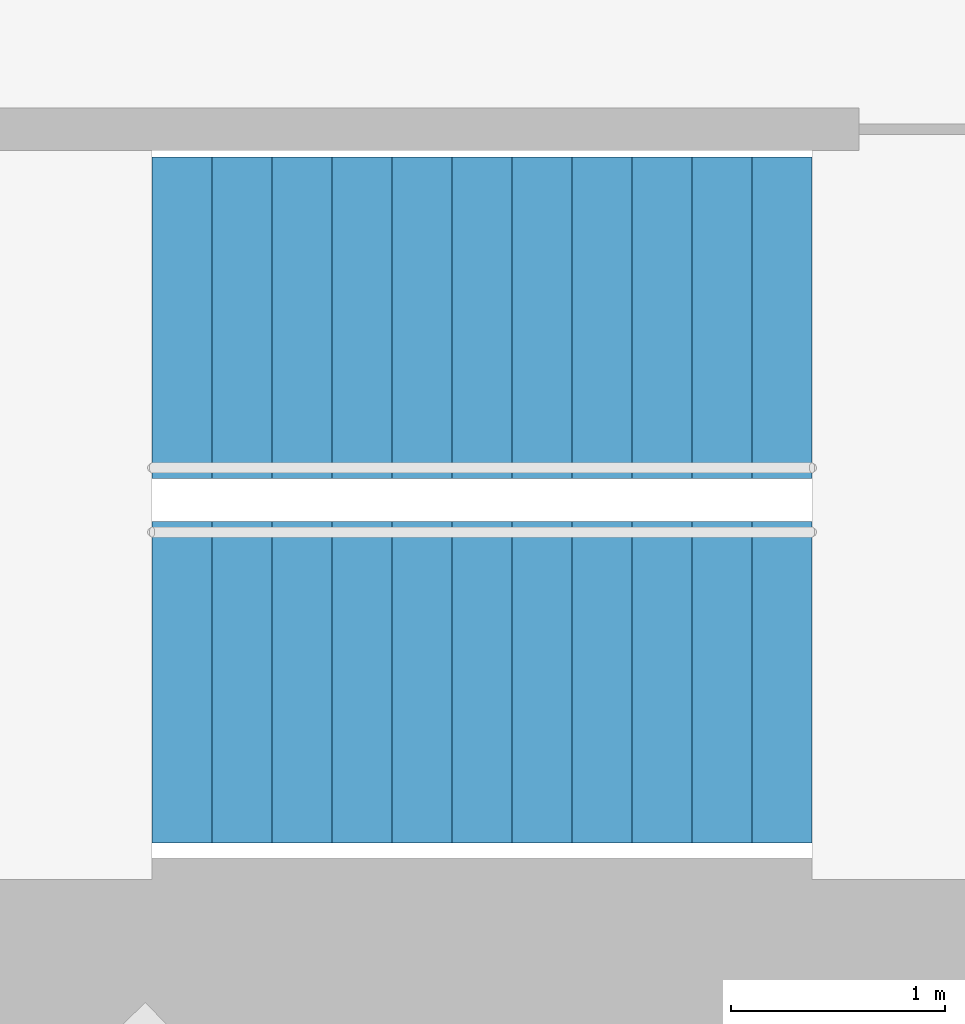
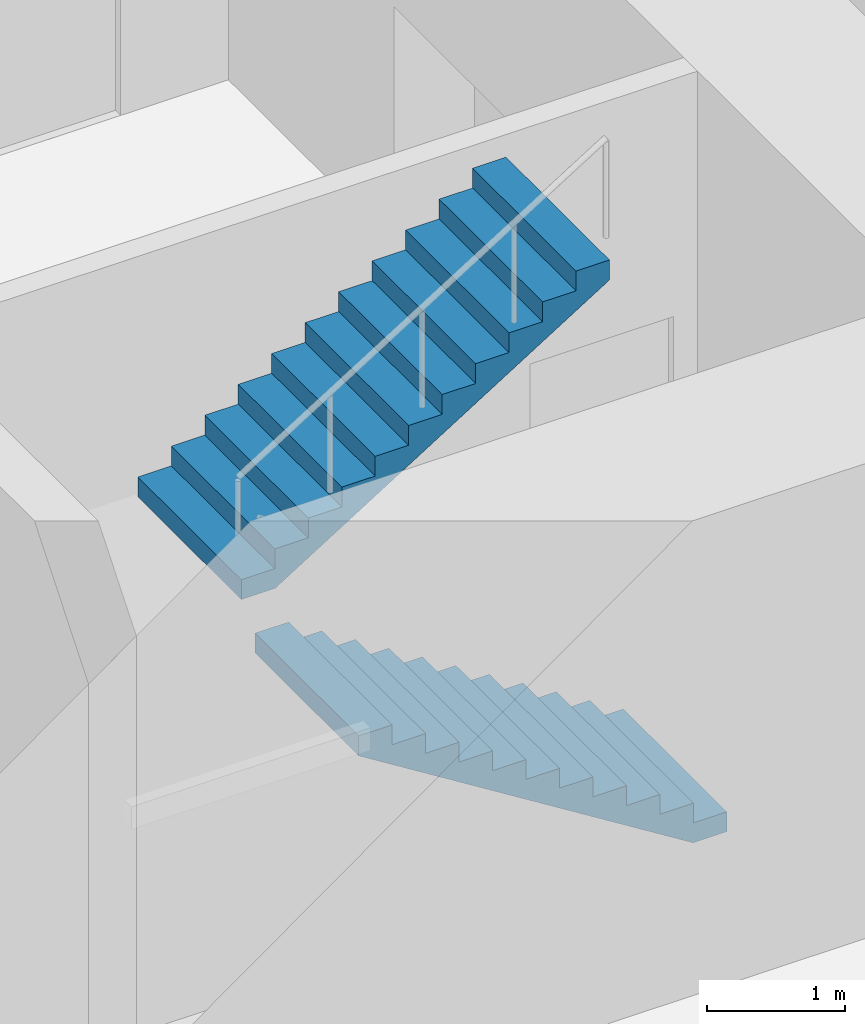
# One storey, part 17 of 18: 2 stair flights, 1 element without a shape of its own.
"""IFC4 building model written with IfcOpenShell, lengths in metres."""

from ifc_helpers import new_model, si_unit, direction, frame, origin, place, context, subcontext, project, spatial, triangles, material, type_object, element, aggregate, save


model = new_model("IFC4")

# Units and contexts
model_context = context("Model", 3, precision=1e-05, world=origin(), true_north=direction((0.0, 1.0)))
body_context = subcontext(model_context, "Body", "Model", "MODEL_VIEW")
ifc_project = project(units=[si_unit("LENGTHUNIT", "METRE"), si_unit("AREAUNIT", "SQUARE_METRE"), si_unit("VOLUMEUNIT", "CUBIC_METRE"), si_unit("PLANEANGLEUNIT", "RADIAN"), si_unit("MASSUNIT", "GRAM", prefix="KILO")], contexts=[model_context])

# Site, building, storey
site_placement = place(None, origin())
site = spatial("IfcSite", under=ifc_project, at=site_placement, CompositionType="ELEMENT")
building_placement = place(site_placement, origin())
building = spatial("IfcBuilding", under=site, at=building_placement, Name="Lantaw Convention Tower", CompositionType="ELEMENT")
storey_placement = place(building_placement, frame((0.0, 0.0, 142.60009765625)))
storey = spatial("IfcBuildingStorey", under=building, at=storey_placement, Name="L33", CompositionType="ELEMENT", Elevation=142.60009765625)

# Stair, stair flights
ifc_material = material(Name="Concrete C35/45", Category="concrete")
stair_type = type_object("IfcStairType", Name="Exit stair 1500 riser 175 in 2 flights", PredefinedType="HALF_TURN_STAIR", material=ifc_material)
stair_placement = place(storey_placement, origin())
stair = element("IfcStair", 1, at=stair_placement, inside=storey, type_object=stair_type, Name="Exit stair S2 L33", PredefinedType="HALF_TURN_STAIR")
stair_flight_type = type_object("IfcStairFlightType", Name="Stair flight 1500 riser 175", PredefinedType="STRAIGHT", material=ifc_material)
stair_flight_1_placement = place(storey_placement, frame((10.580078125, -5.97998046875, 0.0), z_axis=(0.0, 0.0, 1.0), x_axis=(-1.0, 0.0, 0.0)))
stair_flight_1 = element("IfcStairFlight", 2, at=stair_flight_1_placement, type_object=stair_flight_type, Name="S2 flight 1", NumberOfRisers=12, NumberOfTreads=11, PredefinedType="STRAIGHT", RiserHeight=0.175, TreadLength=0.28, context=body_context, shape_type="Tessellation", body=[
    triangles([(0.0, 0.75, 0.0), (0.0, 0.75, 0.175), (0.28, 0.75, 0.0), (0.28, 0.75, 0.175), (0.28, 0.75, 0.35), (0.28283517651771284, 0.75, 0.0), (0.28283517651771284, 0.75, 0.35), (0.56, 0.75, 0.17322801467642948), (0.56, 0.75, 0.35), (0.56, 0.75, 0.5249999999999999), (0.8400000000000001, 0.75, 0.34822801467642944), (0.8400000000000001, 0.75, 0.5249999999999999), (0.8400000000000001, 0.75, 0.7), (1.12, 0.75, 0.5232280146764294), (1.12, 0.75, 0.7), (1.12, 0.75, 0.875), (1.4000000000000001, 0.75, 0.6982280146764295), (1.4000000000000001, 0.75, 0.875), (1.4000000000000001, 0.75, 1.0499999999999998), (1.6800000000000002, 0.75, 0.8732280146764294), (1.6800000000000002, 0.75, 1.0499999999999998), (1.6800000000000002, 0.75, 1.2249999999999999), (1.9600000000000002, 0.75, 1.0482280146764293), (1.9600000000000002, 0.75, 1.2249999999999999), (1.9600000000000002, 0.75, 1.4), (2.24, 0.75, 1.2232280146764294), (2.24, 0.75, 1.4), (2.24, 0.75, 1.575), (2.5200000000000005, 0.75, 1.3982280146764294), (2.5200000000000005, 0.75, 1.575), (2.5200000000000005, 0.75, 1.75), (2.8000000000000003, 0.75, 1.5732280146764293), (2.8000000000000003, 0.75, 1.75), (2.8000000000000003, 0.75, 1.9249999999999998), (3.08, 0.75, 1.7482280146764293), (3.08, 0.75, 1.9249999999999998), (0.0, -0.75, 0.0), (0.0, -0.75, 0.175), (0.28, -0.75, 0.0), (0.28, -0.75, 0.175), (0.28, -0.75, 0.35), (0.28283517651771284, -0.75, 0.0), (0.28283517651771284, -0.75, 0.35), (0.56, -0.75, 0.17322801467642948), (0.56, -0.75, 0.35), (0.56, -0.75, 0.5249999999999999), (0.8400000000000001, -0.75, 0.34822801467642944), (0.8400000000000001, -0.75, 0.5249999999999999), (0.8400000000000001, -0.75, 0.7), (1.12, -0.75, 0.5232280146764294), (1.12, -0.75, 0.7), (1.12, -0.75, 0.875), (1.4000000000000001, -0.75, 0.6982280146764295), (1.4000000000000001, -0.75, 0.875), (1.4000000000000001, -0.75, 1.0499999999999998), (1.6800000000000002, -0.75, 0.8732280146764294), (1.6800000000000002, -0.75, 1.0499999999999998), (1.6800000000000002, -0.75, 1.2249999999999999), (1.9600000000000002, -0.75, 1.0482280146764293), (1.9600000000000002, -0.75, 1.2249999999999999), (1.9600000000000002, -0.75, 1.4), (2.24, -0.75, 1.2232280146764294), (2.24, -0.75, 1.4), (2.24, -0.75, 1.575), (2.5200000000000005, -0.75, 1.3982280146764294), (2.5200000000000005, -0.75, 1.575), (2.5200000000000005, -0.75, 1.75), (2.8000000000000003, -0.75, 1.5732280146764293), (2.8000000000000003, -0.75, 1.75), (2.8000000000000003, -0.75, 1.9249999999999998), (3.08, -0.75, 1.7482280146764293), (3.08, -0.75, 1.9249999999999998), (0.0, 0.15000000000000002, 0.175), (0.0, 0.15000000000000002, 0.0), (0.0, 0.0, 0.175), (0.0, 0.0, 0.0), (0.0, -0.15000000000000002, 0.175), (0.0, -0.15000000000000002, 0.0), (0.28, 0.15000000000000002, 0.35), (0.28, 0.15000000000000002, 0.175), (0.28, 0.0, 0.35), (0.28, 0.0, 0.175), (0.28, -0.15000000000000002, 0.35), (0.28, -0.15000000000000002, 0.175), (0.56, 0.15000000000000002, 0.5249999999999999), (0.56, 0.15000000000000002, 0.35), (0.56, 0.0, 0.5249999999999999), (0.56, 0.0, 0.35), (0.56, -0.15000000000000002, 0.5249999999999999), (0.56, -0.15000000000000002, 0.35), (0.8400000000000001, 0.15000000000000002, 0.7), (0.8400000000000001, 0.15000000000000002, 0.5249999999999999), (0.8400000000000001, 0.0, 0.7), (0.8400000000000001, 0.0, 0.5249999999999999), (0.8400000000000001, -0.15000000000000002, 0.7), (0.8400000000000001, -0.15000000000000002, 0.5249999999999999), (1.12, 0.15000000000000002, 0.875), (1.12, 0.15000000000000002, 0.7), (1.12, 0.0, 0.875), (1.12, 0.0, 0.7), (1.12, -0.15000000000000002, 0.875), (1.12, -0.15000000000000002, 0.7), (1.4000000000000001, 0.15000000000000002, 1.0499999999999998), (1.4000000000000001, 0.15000000000000002, 0.875), (1.4000000000000001, 0.0, 1.0499999999999998), (1.4000000000000001, 0.0, 0.875), (1.4000000000000001, -0.15000000000000002, 1.0499999999999998), (1.4000000000000001, -0.15000000000000002, 0.875), (1.6800000000000002, 0.15000000000000002, 1.2249999999999999), (1.6800000000000002, 0.15000000000000002, 1.0499999999999998), (1.6800000000000002, 0.0, 1.2249999999999999), (1.6800000000000002, 0.0, 1.0499999999999998), (1.6800000000000002, -0.15000000000000002, 1.2249999999999999), (1.6800000000000002, -0.15000000000000002, 1.0499999999999998), (1.9600000000000002, 0.15000000000000002, 1.4), (1.9600000000000002, 0.15000000000000002, 1.2249999999999999), (1.9600000000000002, 0.0, 1.4), (1.9600000000000002, 0.0, 1.2249999999999999), (1.9600000000000002, -0.15000000000000002, 1.4), (1.9600000000000002, -0.15000000000000002, 1.2249999999999999), (2.24, 0.15000000000000002, 1.575), (2.24, 0.15000000000000002, 1.4), (2.24, 0.0, 1.575), (2.24, 0.0, 1.4), (2.24, -0.15000000000000002, 1.575), (2.24, -0.15000000000000002, 1.4), (2.5200000000000005, 0.15000000000000002, 1.75), (2.5200000000000005, 0.15000000000000002, 1.575), (2.5200000000000005, 0.0, 1.75), (2.5200000000000005, 0.0, 1.575), (2.5200000000000005, -0.15000000000000002, 1.75), (2.5200000000000005, -0.15000000000000002, 1.575), (2.8000000000000003, 0.15000000000000002, 1.9249999999999998), (2.8000000000000003, 0.15000000000000002, 1.75), (2.8000000000000003, 0.0, 1.9249999999999998), (2.8000000000000003, 0.0, 1.75), (2.8000000000000003, -0.15000000000000002, 1.9249999999999998), (2.8000000000000003, -0.15000000000000002, 1.75), (0.28283517651771284, 0.15000000000000002, 0.35), (0.28283517651771284, 0.0, 0.35), (0.28283517651771284, -0.15000000000000002, 0.35), (3.08, 0.15000000000000002, 1.9249999999999998), (3.08, 0.0, 1.9249999999999998), (3.08, -0.15000000000000002, 1.9249999999999998), (3.08, 0.15000000000000002, 1.7482280146764293), (3.08, 0.0, 1.7482280146764293), (3.08, -0.15000000000000002, 1.7482280146764293), (2.8000000000000003, 0.15000000000000002, 1.5732280146764293), (2.8000000000000003, 0.0, 1.5732280146764293), (2.8000000000000003, -0.15000000000000002, 1.5732280146764293), (2.5200000000000005, 0.15000000000000002, 1.3982280146764294), (2.5200000000000005, 0.0, 1.3982280146764294), (2.5200000000000005, -0.15000000000000002, 1.3982280146764294), (2.24, 0.15000000000000002, 1.2232280146764294), (2.24, 0.0, 1.2232280146764294), (2.24, -0.15000000000000002, 1.2232280146764294), (1.9600000000000002, 0.15000000000000002, 1.0482280146764293), (1.9600000000000002, 0.0, 1.0482280146764293), (1.9600000000000002, -0.15000000000000002, 1.0482280146764293), (1.6800000000000002, 0.15000000000000002, 0.8732280146764294), (1.6800000000000002, 0.0, 0.8732280146764294), (1.6800000000000002, -0.15000000000000002, 0.8732280146764294), (1.4000000000000001, 0.15000000000000002, 0.6982280146764295), (1.4000000000000001, 0.0, 0.6982280146764295), (1.4000000000000001, -0.15000000000000002, 0.6982280146764295), (1.12, 0.15000000000000002, 0.5232280146764294), (1.12, 0.0, 0.5232280146764294), (1.12, -0.15000000000000002, 0.5232280146764294), (0.8400000000000001, 0.15000000000000002, 0.34822801467642944), (0.8400000000000001, 0.0, 0.34822801467642944), (0.8400000000000001, -0.15000000000000002, 0.34822801467642944), (0.56, 0.15000000000000002, 0.17322801467642948), (0.56, 0.0, 0.17322801467642948), (0.56, -0.15000000000000002, 0.17322801467642948), (0.28283517651771284, 0.15000000000000002, 0.0), (0.28283517651771284, 0.0, 0.0), (0.28283517651771284, -0.15000000000000002, 0.0), (0.28, 0.15000000000000002, 0.0), (0.28, 0.0, 0.0), (0.28, -0.15000000000000002, 0.0)], [[1, 4, 3], [1, 2, 4], [3, 4, 6], [4, 7, 6], [4, 5, 7], [6, 9, 8], [6, 7, 9], [8, 9, 11], [9, 12, 11], [9, 10, 12], [11, 12, 14], [12, 15, 14], [12, 13, 15], [14, 15, 17], [15, 18, 17], [15, 16, 18], [17, 18, 20], [18, 21, 20], [18, 19, 21], [20, 21, 23], [21, 24, 23], [21, 22, 24], [23, 24, 26], [24, 27, 26], [24, 25, 27], [26, 27, 29], [27, 30, 29], [27, 28, 30], [29, 30, 32], [30, 33, 32], [30, 31, 33], [32, 33, 35], [33, 36, 35], [33, 34, 36], [37, 39, 40], [37, 40, 38], [39, 42, 40], [40, 42, 43], [40, 43, 41], [42, 44, 45], [42, 45, 43], [44, 47, 45], [45, 47, 48], [45, 48, 46], [47, 50, 48], [48, 50, 51], [48, 51, 49], [50, 53, 51], [51, 53, 54], [51, 54, 52], [53, 56, 54], [54, 56, 57], [54, 57, 55], [56, 59, 57], [57, 59, 60], [57, 60, 58], [59, 62, 60], [60, 62, 63], [60, 63, 61], [62, 65, 63], [63, 65, 66], [63, 66, 64], [65, 68, 66], [66, 68, 69], [66, 69, 67], [68, 71, 69], [69, 71, 72], [69, 72, 70], [1, 73, 2], [1, 74, 73], [74, 75, 73], [74, 76, 75], [76, 77, 75], [76, 78, 77], [78, 38, 77], [78, 37, 38], [4, 79, 5], [4, 80, 79], [80, 81, 79], [80, 82, 81], [82, 83, 81], [82, 84, 83], [84, 41, 83], [84, 40, 41], [9, 85, 10], [9, 86, 85], [86, 87, 85], [86, 88, 87], [88, 89, 87], [88, 90, 89], [90, 46, 89], [90, 45, 46], [12, 91, 13], [12, 92, 91], [92, 93, 91], [92, 94, 93], [94, 95, 93], [94, 96, 95], [96, 49, 95], [96, 48, 49], [15, 97, 16], [15, 98, 97], [98, 99, 97], [98, 100, 99], [100, 101, 99], [100, 102, 101], [102, 52, 101], [102, 51, 52], [18, 103, 19], [18, 104, 103], [104, 105, 103], [104, 106, 105], [106, 107, 105], [106, 108, 107], [108, 55, 107], [108, 54, 55], [21, 109, 22], [21, 110, 109], [110, 111, 109], [110, 112, 111], [112, 113, 111], [112, 114, 113], [114, 58, 113], [114, 57, 58], [24, 115, 25], [24, 116, 115], [116, 117, 115], [116, 118, 117], [118, 119, 117], [118, 120, 119], [120, 61, 119], [120, 60, 61], [27, 121, 28], [27, 122, 121], [122, 123, 121], [122, 124, 123], [124, 125, 123], [124, 126, 125], [126, 64, 125], [126, 63, 64], [30, 127, 31], [30, 128, 127], [128, 129, 127], [128, 130, 129], [130, 131, 129], [130, 132, 131], [132, 67, 131], [132, 66, 67], [33, 133, 34], [33, 134, 133], [134, 135, 133], [134, 136, 135], [136, 137, 135], [136, 138, 137], [138, 70, 137], [138, 69, 70], [2, 80, 4], [2, 73, 80], [73, 82, 80], [73, 75, 82], [75, 84, 82], [75, 77, 84], [77, 40, 84], [77, 38, 40], [5, 139, 7], [5, 79, 139], [79, 140, 139], [79, 81, 140], [81, 141, 140], [81, 83, 141], [83, 43, 141], [83, 41, 43], [7, 86, 9], [7, 139, 86], [139, 88, 86], [139, 140, 88], [140, 90, 88], [140, 141, 90], [141, 45, 90], [141, 43, 45], [10, 92, 12], [10, 85, 92], [85, 94, 92], [85, 87, 94], [87, 96, 94], [87, 89, 96], [89, 48, 96], [89, 46, 48], [13, 98, 15], [13, 91, 98], [91, 100, 98], [91, 93, 100], [93, 102, 100], [93, 95, 102], [95, 51, 102], [95, 49, 51], [16, 104, 18], [16, 97, 104], [97, 106, 104], [97, 99, 106], [99, 108, 106], [99, 101, 108], [101, 54, 108], [101, 52, 54], [19, 110, 21], [19, 103, 110], [103, 112, 110], [103, 105, 112], [105, 114, 112], [105, 107, 114], [107, 57, 114], [107, 55, 57], [22, 116, 24], [22, 109, 116], [109, 118, 116], [109, 111, 118], [111, 120, 118], [111, 113, 120], [113, 60, 120], [113, 58, 60], [25, 122, 27], [25, 115, 122], [115, 124, 122], [115, 117, 124], [117, 126, 124], [117, 119, 126], [119, 63, 126], [119, 61, 63], [28, 128, 30], [28, 121, 128], [121, 130, 128], [121, 123, 130], [123, 132, 130], [123, 125, 132], [125, 66, 132], [125, 64, 66], [31, 134, 33], [31, 127, 134], [127, 136, 134], [127, 129, 136], [129, 138, 136], [129, 131, 138], [131, 69, 138], [131, 67, 69], [34, 142, 36], [34, 133, 142], [133, 143, 142], [133, 135, 143], [135, 144, 143], [135, 137, 144], [137, 72, 144], [137, 70, 72], [36, 145, 35], [36, 142, 145], [142, 146, 145], [142, 143, 146], [143, 147, 146], [143, 144, 147], [144, 71, 147], [144, 72, 71], [35, 148, 32], [35, 145, 148], [145, 149, 148], [145, 146, 149], [146, 150, 149], [146, 147, 150], [147, 68, 150], [147, 71, 68], [32, 151, 29], [32, 148, 151], [148, 152, 151], [148, 149, 152], [149, 153, 152], [149, 150, 153], [150, 65, 153], [150, 68, 65], [29, 154, 26], [29, 151, 154], [151, 155, 154], [151, 152, 155], [152, 156, 155], [152, 153, 156], [153, 62, 156], [153, 65, 62], [26, 157, 23], [26, 154, 157], [154, 158, 157], [154, 155, 158], [155, 159, 158], [155, 156, 159], [156, 59, 159], [156, 62, 59], [23, 160, 20], [23, 157, 160], [157, 161, 160], [157, 158, 161], [158, 162, 161], [158, 159, 162], [159, 56, 162], [159, 59, 56], [20, 163, 17], [20, 160, 163], [160, 164, 163], [160, 161, 164], [161, 165, 164], [161, 162, 165], [162, 53, 165], [162, 56, 53], [17, 166, 14], [17, 163, 166], [163, 167, 166], [163, 164, 167], [164, 168, 167], [164, 165, 168], [165, 50, 168], [165, 53, 50], [14, 169, 11], [14, 166, 169], [166, 170, 169], [166, 167, 170], [167, 171, 170], [167, 168, 171], [168, 47, 171], [168, 50, 47], [11, 172, 8], [11, 169, 172], [169, 173, 172], [169, 170, 173], [170, 174, 173], [170, 171, 174], [171, 44, 174], [171, 47, 44], [8, 175, 6], [8, 172, 175], [172, 176, 175], [172, 173, 176], [173, 177, 176], [173, 174, 177], [174, 42, 177], [174, 44, 42], [6, 178, 3], [6, 175, 178], [175, 179, 178], [175, 176, 179], [176, 180, 179], [176, 177, 180], [177, 39, 180], [177, 42, 39], [3, 74, 1], [3, 178, 74], [178, 76, 74], [178, 179, 76], [179, 78, 76], [179, 180, 78], [180, 37, 78], [180, 39, 37]], closed=True),
])
stair_flight_2_placement = place(storey_placement, frame((7.5, -4.280029296875, 2.099853515625), z_axis=(0.0, 0.0, 1.0), x_axis=(1.0, 0.0, 0.0)))
stair_flight_2 = element("IfcStairFlight", 3, at=stair_flight_2_placement, type_object=stair_flight_type, Name="S2 flight 2", NumberOfRisers=12, NumberOfTreads=11, PredefinedType="STRAIGHT", RiserHeight=0.175, TreadLength=0.28, context=body_context, shape_type="Tessellation", body=[
    triangles([(0.0, 0.75, 0.0), (0.0, 0.75, 0.175), (0.28, 0.75, 0.0), (0.28, 0.75, 0.175), (0.28, 0.75, 0.35), (0.28283517651771284, 0.75, 0.0), (0.28283517651771284, 0.75, 0.35), (0.56, 0.75, 0.17322801467642948), (0.56, 0.75, 0.35), (0.56, 0.75, 0.5249999999999999), (0.8400000000000001, 0.75, 0.34822801467642944), (0.8400000000000001, 0.75, 0.5249999999999999), (0.8400000000000001, 0.75, 0.7), (1.12, 0.75, 0.5232280146764294), (1.12, 0.75, 0.7), (1.12, 0.75, 0.875), (1.4000000000000001, 0.75, 0.6982280146764295), (1.4000000000000001, 0.75, 0.875), (1.4000000000000001, 0.75, 1.0499999999999998), (1.6800000000000002, 0.75, 0.8732280146764294), (1.6800000000000002, 0.75, 1.0499999999999998), (1.6800000000000002, 0.75, 1.2249999999999999), (1.9600000000000002, 0.75, 1.0482280146764293), (1.9600000000000002, 0.75, 1.2249999999999999), (1.9600000000000002, 0.75, 1.4), (2.24, 0.75, 1.2232280146764294), (2.24, 0.75, 1.4), (2.24, 0.75, 1.575), (2.5200000000000005, 0.75, 1.3982280146764294), (2.5200000000000005, 0.75, 1.575), (2.5200000000000005, 0.75, 1.75), (2.8000000000000003, 0.75, 1.5732280146764293), (2.8000000000000003, 0.75, 1.75), (2.8000000000000003, 0.75, 1.9249999999999998), (3.08, 0.75, 1.7482280146764293), (3.08, 0.75, 1.9249999999999998), (0.0, -0.75, 0.0), (0.0, -0.75, 0.175), (0.28, -0.75, 0.0), (0.28, -0.75, 0.175), (0.28, -0.75, 0.35), (0.28283517651771284, -0.75, 0.0), (0.28283517651771284, -0.75, 0.35), (0.56, -0.75, 0.17322801467642948), (0.56, -0.75, 0.35), (0.56, -0.75, 0.5249999999999999), (0.8400000000000001, -0.75, 0.34822801467642944), (0.8400000000000001, -0.75, 0.5249999999999999), (0.8400000000000001, -0.75, 0.7), (1.12, -0.75, 0.5232280146764294), (1.12, -0.75, 0.7), (1.12, -0.75, 0.875), (1.4000000000000001, -0.75, 0.6982280146764295), (1.4000000000000001, -0.75, 0.875), (1.4000000000000001, -0.75, 1.0499999999999998), (1.6800000000000002, -0.75, 0.8732280146764294), (1.6800000000000002, -0.75, 1.0499999999999998), (1.6800000000000002, -0.75, 1.2249999999999999), (1.9600000000000002, -0.75, 1.0482280146764293), (1.9600000000000002, -0.75, 1.2249999999999999), (1.9600000000000002, -0.75, 1.4), (2.24, -0.75, 1.2232280146764294), (2.24, -0.75, 1.4), (2.24, -0.75, 1.575), (2.5200000000000005, -0.75, 1.3982280146764294), (2.5200000000000005, -0.75, 1.575), (2.5200000000000005, -0.75, 1.75), (2.8000000000000003, -0.75, 1.5732280146764293), (2.8000000000000003, -0.75, 1.75), (2.8000000000000003, -0.75, 1.9249999999999998), (3.08, -0.75, 1.7482280146764293), (3.08, -0.75, 1.9249999999999998), (0.0, 0.15000000000000002, 0.175), (0.0, 0.15000000000000002, 0.0), (0.0, 0.0, 0.175), (0.0, 0.0, 0.0), (0.0, -0.15000000000000002, 0.175), (0.0, -0.15000000000000002, 0.0), (0.28, 0.15000000000000002, 0.35), (0.28, 0.15000000000000002, 0.175), (0.28, 0.0, 0.35), (0.28, 0.0, 0.175), (0.28, -0.15000000000000002, 0.35), (0.28, -0.15000000000000002, 0.175), (0.56, 0.15000000000000002, 0.5249999999999999), (0.56, 0.15000000000000002, 0.35), (0.56, 0.0, 0.5249999999999999), (0.56, 0.0, 0.35), (0.56, -0.15000000000000002, 0.5249999999999999), (0.56, -0.15000000000000002, 0.35), (0.8400000000000001, 0.15000000000000002, 0.7), (0.8400000000000001, 0.15000000000000002, 0.5249999999999999), (0.8400000000000001, 0.0, 0.7), (0.8400000000000001, 0.0, 0.5249999999999999), (0.8400000000000001, -0.15000000000000002, 0.7), (0.8400000000000001, -0.15000000000000002, 0.5249999999999999), (1.12, 0.15000000000000002, 0.875), (1.12, 0.15000000000000002, 0.7), (1.12, 0.0, 0.875), (1.12, 0.0, 0.7), (1.12, -0.15000000000000002, 0.875), (1.12, -0.15000000000000002, 0.7), (1.4000000000000001, 0.15000000000000002, 1.0499999999999998), (1.4000000000000001, 0.15000000000000002, 0.875), (1.4000000000000001, 0.0, 1.0499999999999998), (1.4000000000000001, 0.0, 0.875), (1.4000000000000001, -0.15000000000000002, 1.0499999999999998), (1.4000000000000001, -0.15000000000000002, 0.875), (1.6800000000000002, 0.15000000000000002, 1.2249999999999999), (1.6800000000000002, 0.15000000000000002, 1.0499999999999998), (1.6800000000000002, 0.0, 1.2249999999999999), (1.6800000000000002, 0.0, 1.0499999999999998), (1.6800000000000002, -0.15000000000000002, 1.2249999999999999), (1.6800000000000002, -0.15000000000000002, 1.0499999999999998), (1.9600000000000002, 0.15000000000000002, 1.4), (1.9600000000000002, 0.15000000000000002, 1.2249999999999999), (1.9600000000000002, 0.0, 1.4), (1.9600000000000002, 0.0, 1.2249999999999999), (1.9600000000000002, -0.15000000000000002, 1.4), (1.9600000000000002, -0.15000000000000002, 1.2249999999999999), (2.24, 0.15000000000000002, 1.575), (2.24, 0.15000000000000002, 1.4), (2.24, 0.0, 1.575), (2.24, 0.0, 1.4), (2.24, -0.15000000000000002, 1.575), (2.24, -0.15000000000000002, 1.4), (2.5200000000000005, 0.15000000000000002, 1.75), (2.5200000000000005, 0.15000000000000002, 1.575), (2.5200000000000005, 0.0, 1.75), (2.5200000000000005, 0.0, 1.575), (2.5200000000000005, -0.15000000000000002, 1.75), (2.5200000000000005, -0.15000000000000002, 1.575), (2.8000000000000003, 0.15000000000000002, 1.9249999999999998), (2.8000000000000003, 0.15000000000000002, 1.75), (2.8000000000000003, 0.0, 1.9249999999999998), (2.8000000000000003, 0.0, 1.75), (2.8000000000000003, -0.15000000000000002, 1.9249999999999998), (2.8000000000000003, -0.15000000000000002, 1.75), (0.28283517651771284, 0.15000000000000002, 0.35), (0.28283517651771284, 0.0, 0.35), (0.28283517651771284, -0.15000000000000002, 0.35), (3.08, 0.15000000000000002, 1.9249999999999998), (3.08, 0.0, 1.9249999999999998), (3.08, -0.15000000000000002, 1.9249999999999998), (3.08, 0.15000000000000002, 1.7482280146764293), (3.08, 0.0, 1.7482280146764293), (3.08, -0.15000000000000002, 1.7482280146764293), (2.8000000000000003, 0.15000000000000002, 1.5732280146764293), (2.8000000000000003, 0.0, 1.5732280146764293), (2.8000000000000003, -0.15000000000000002, 1.5732280146764293), (2.5200000000000005, 0.15000000000000002, 1.3982280146764294), (2.5200000000000005, 0.0, 1.3982280146764294), (2.5200000000000005, -0.15000000000000002, 1.3982280146764294), (2.24, 0.15000000000000002, 1.2232280146764294), (2.24, 0.0, 1.2232280146764294), (2.24, -0.15000000000000002, 1.2232280146764294), (1.9600000000000002, 0.15000000000000002, 1.0482280146764293), (1.9600000000000002, 0.0, 1.0482280146764293), (1.9600000000000002, -0.15000000000000002, 1.0482280146764293), (1.6800000000000002, 0.15000000000000002, 0.8732280146764294), (1.6800000000000002, 0.0, 0.8732280146764294), (1.6800000000000002, -0.15000000000000002, 0.8732280146764294), (1.4000000000000001, 0.15000000000000002, 0.6982280146764295), (1.4000000000000001, 0.0, 0.6982280146764295), (1.4000000000000001, -0.15000000000000002, 0.6982280146764295), (1.12, 0.15000000000000002, 0.5232280146764294), (1.12, 0.0, 0.5232280146764294), (1.12, -0.15000000000000002, 0.5232280146764294), (0.8400000000000001, 0.15000000000000002, 0.34822801467642944), (0.8400000000000001, 0.0, 0.34822801467642944), (0.8400000000000001, -0.15000000000000002, 0.34822801467642944), (0.56, 0.15000000000000002, 0.17322801467642948), (0.56, 0.0, 0.17322801467642948), (0.56, -0.15000000000000002, 0.17322801467642948), (0.28283517651771284, 0.15000000000000002, 0.0), (0.28283517651771284, 0.0, 0.0), (0.28283517651771284, -0.15000000000000002, 0.0), (0.28, 0.15000000000000002, 0.0), (0.28, 0.0, 0.0), (0.28, -0.15000000000000002, 0.0)], [[1, 4, 3], [1, 2, 4], [3, 4, 6], [4, 7, 6], [4, 5, 7], [6, 9, 8], [6, 7, 9], [8, 9, 11], [9, 12, 11], [9, 10, 12], [11, 12, 14], [12, 15, 14], [12, 13, 15], [14, 15, 17], [15, 18, 17], [15, 16, 18], [17, 18, 20], [18, 21, 20], [18, 19, 21], [20, 21, 23], [21, 24, 23], [21, 22, 24], [23, 24, 26], [24, 27, 26], [24, 25, 27], [26, 27, 29], [27, 30, 29], [27, 28, 30], [29, 30, 32], [30, 33, 32], [30, 31, 33], [32, 33, 35], [33, 36, 35], [33, 34, 36], [37, 39, 40], [37, 40, 38], [39, 42, 40], [40, 42, 43], [40, 43, 41], [42, 44, 45], [42, 45, 43], [44, 47, 45], [45, 47, 48], [45, 48, 46], [47, 50, 48], [48, 50, 51], [48, 51, 49], [50, 53, 51], [51, 53, 54], [51, 54, 52], [53, 56, 54], [54, 56, 57], [54, 57, 55], [56, 59, 57], [57, 59, 60], [57, 60, 58], [59, 62, 60], [60, 62, 63], [60, 63, 61], [62, 65, 63], [63, 65, 66], [63, 66, 64], [65, 68, 66], [66, 68, 69], [66, 69, 67], [68, 71, 69], [69, 71, 72], [69, 72, 70], [1, 73, 2], [1, 74, 73], [74, 75, 73], [74, 76, 75], [76, 77, 75], [76, 78, 77], [78, 38, 77], [78, 37, 38], [4, 79, 5], [4, 80, 79], [80, 81, 79], [80, 82, 81], [82, 83, 81], [82, 84, 83], [84, 41, 83], [84, 40, 41], [9, 85, 10], [9, 86, 85], [86, 87, 85], [86, 88, 87], [88, 89, 87], [88, 90, 89], [90, 46, 89], [90, 45, 46], [12, 91, 13], [12, 92, 91], [92, 93, 91], [92, 94, 93], [94, 95, 93], [94, 96, 95], [96, 49, 95], [96, 48, 49], [15, 97, 16], [15, 98, 97], [98, 99, 97], [98, 100, 99], [100, 101, 99], [100, 102, 101], [102, 52, 101], [102, 51, 52], [18, 103, 19], [18, 104, 103], [104, 105, 103], [104, 106, 105], [106, 107, 105], [106, 108, 107], [108, 55, 107], [108, 54, 55], [21, 109, 22], [21, 110, 109], [110, 111, 109], [110, 112, 111], [112, 113, 111], [112, 114, 113], [114, 58, 113], [114, 57, 58], [24, 115, 25], [24, 116, 115], [116, 117, 115], [116, 118, 117], [118, 119, 117], [118, 120, 119], [120, 61, 119], [120, 60, 61], [27, 121, 28], [27, 122, 121], [122, 123, 121], [122, 124, 123], [124, 125, 123], [124, 126, 125], [126, 64, 125], [126, 63, 64], [30, 127, 31], [30, 128, 127], [128, 129, 127], [128, 130, 129], [130, 131, 129], [130, 132, 131], [132, 67, 131], [132, 66, 67], [33, 133, 34], [33, 134, 133], [134, 135, 133], [134, 136, 135], [136, 137, 135], [136, 138, 137], [138, 70, 137], [138, 69, 70], [2, 80, 4], [2, 73, 80], [73, 82, 80], [73, 75, 82], [75, 84, 82], [75, 77, 84], [77, 40, 84], [77, 38, 40], [5, 139, 7], [5, 79, 139], [79, 140, 139], [79, 81, 140], [81, 141, 140], [81, 83, 141], [83, 43, 141], [83, 41, 43], [7, 86, 9], [7, 139, 86], [139, 88, 86], [139, 140, 88], [140, 90, 88], [140, 141, 90], [141, 45, 90], [141, 43, 45], [10, 92, 12], [10, 85, 92], [85, 94, 92], [85, 87, 94], [87, 96, 94], [87, 89, 96], [89, 48, 96], [89, 46, 48], [13, 98, 15], [13, 91, 98], [91, 100, 98], [91, 93, 100], [93, 102, 100], [93, 95, 102], [95, 51, 102], [95, 49, 51], [16, 104, 18], [16, 97, 104], [97, 106, 104], [97, 99, 106], [99, 108, 106], [99, 101, 108], [101, 54, 108], [101, 52, 54], [19, 110, 21], [19, 103, 110], [103, 112, 110], [103, 105, 112], [105, 114, 112], [105, 107, 114], [107, 57, 114], [107, 55, 57], [22, 116, 24], [22, 109, 116], [109, 118, 116], [109, 111, 118], [111, 120, 118], [111, 113, 120], [113, 60, 120], [113, 58, 60], [25, 122, 27], [25, 115, 122], [115, 124, 122], [115, 117, 124], [117, 126, 124], [117, 119, 126], [119, 63, 126], [119, 61, 63], [28, 128, 30], [28, 121, 128], [121, 130, 128], [121, 123, 130], [123, 132, 130], [123, 125, 132], [125, 66, 132], [125, 64, 66], [31, 134, 33], [31, 127, 134], [127, 136, 134], [127, 129, 136], [129, 138, 136], [129, 131, 138], [131, 69, 138], [131, 67, 69], [34, 142, 36], [34, 133, 142], [133, 143, 142], [133, 135, 143], [135, 144, 143], [135, 137, 144], [137, 72, 144], [137, 70, 72], [36, 145, 35], [36, 142, 145], [142, 146, 145], [142, 143, 146], [143, 147, 146], [143, 144, 147], [144, 71, 147], [144, 72, 71], [35, 148, 32], [35, 145, 148], [145, 149, 148], [145, 146, 149], [146, 150, 149], [146, 147, 150], [147, 68, 150], [147, 71, 68], [32, 151, 29], [32, 148, 151], [148, 152, 151], [148, 149, 152], [149, 153, 152], [149, 150, 153], [150, 65, 153], [150, 68, 65], [29, 154, 26], [29, 151, 154], [151, 155, 154], [151, 152, 155], [152, 156, 155], [152, 153, 156], [153, 62, 156], [153, 65, 62], [26, 157, 23], [26, 154, 157], [154, 158, 157], [154, 155, 158], [155, 159, 158], [155, 156, 159], [156, 59, 159], [156, 62, 59], [23, 160, 20], [23, 157, 160], [157, 161, 160], [157, 158, 161], [158, 162, 161], [158, 159, 162], [159, 56, 162], [159, 59, 56], [20, 163, 17], [20, 160, 163], [160, 164, 163], [160, 161, 164], [161, 165, 164], [161, 162, 165], [162, 53, 165], [162, 56, 53], [17, 166, 14], [17, 163, 166], [163, 167, 166], [163, 164, 167], [164, 168, 167], [164, 165, 168], [165, 50, 168], [165, 53, 50], [14, 169, 11], [14, 166, 169], [166, 170, 169], [166, 167, 170], [167, 171, 170], [167, 168, 171], [168, 47, 171], [168, 50, 47], [11, 172, 8], [11, 169, 172], [169, 173, 172], [169, 170, 173], [170, 174, 173], [170, 171, 174], [171, 44, 174], [171, 47, 44], [8, 175, 6], [8, 172, 175], [172, 176, 175], [172, 173, 176], [173, 177, 176], [173, 174, 177], [174, 42, 177], [174, 44, 42], [6, 178, 3], [6, 175, 178], [175, 179, 178], [175, 176, 179], [176, 180, 179], [176, 177, 180], [177, 39, 180], [177, 42, 39], [3, 74, 1], [3, 178, 74], [178, 76, 74], [178, 179, 76], [179, 78, 76], [179, 180, 78], [180, 37, 78], [180, 39, 37]], closed=True),
])
aggregate(stair, [stair_flight_1, stair_flight_2])

save(model, "model.ifc")
